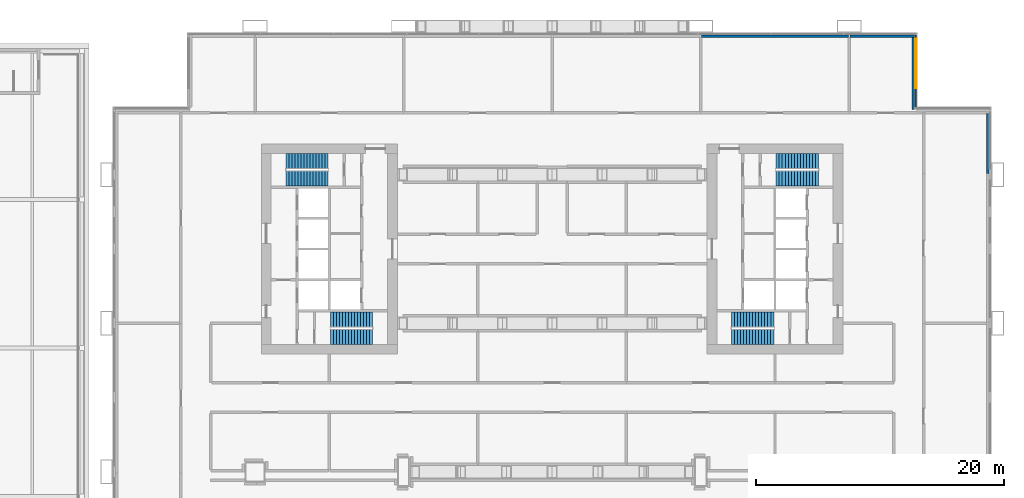
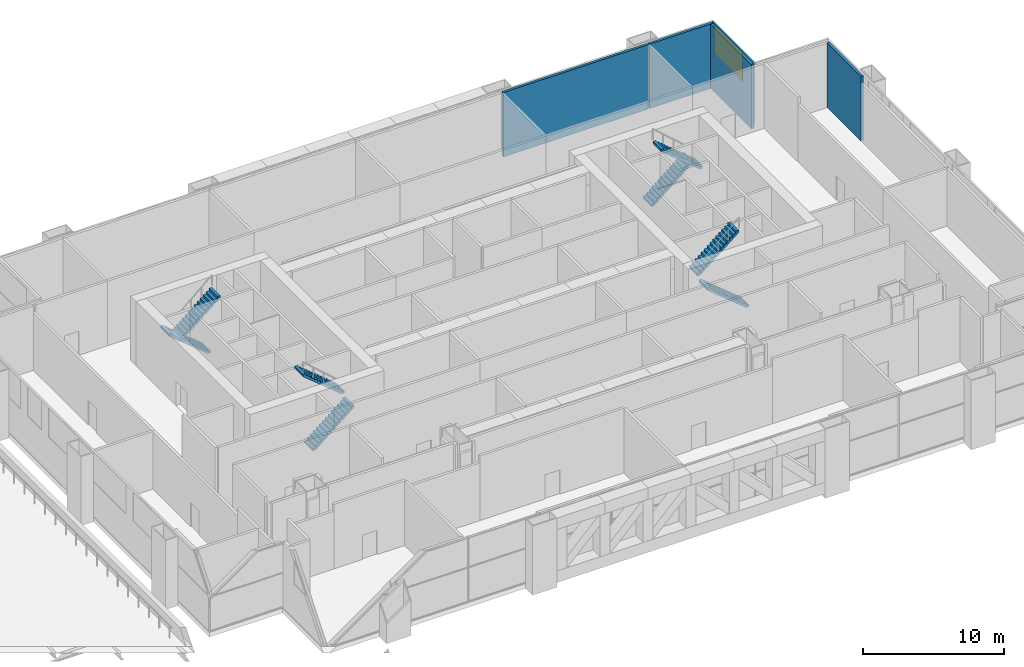
# One storey, part 26 of 27: 8 stair flights, 5 walls, 1 window, 1 opening, 4 elements without a shape of their own.
"""IFC4 building model written with IfcOpenShell, lengths in metres."""

from ifc_helpers import new_model, si_unit, direction, frame, frame_2d, origin, place, context, subcontext, project, spatial, polyline, rectangle, outline, extrude, material, layer, layer_set, type_object, element, fill, aggregate, save


model = new_model("IFC4")

# Units and contexts
model_context = context("Model", 3, precision=1e-05, world=origin(), true_north=direction((0.0, 1.0)))
body_context = subcontext(model_context, "Body", "Model", "MODEL_VIEW")
ifc_project = project(units=[si_unit("LENGTHUNIT", "METRE"), si_unit("AREAUNIT", "SQUARE_METRE"), si_unit("VOLUMEUNIT", "CUBIC_METRE"), si_unit("PLANEANGLEUNIT", "RADIAN"), si_unit("MASSUNIT", "GRAM", prefix="KILO")], contexts=[model_context])

# Site, building, storey
site_placement = place(None, origin())
site = spatial("IfcSite", under=ifc_project, at=site_placement, CompositionType="ELEMENT")
building_placement = place(site_placement, origin())
building = spatial("IfcBuilding", under=site, at=building_placement, Name="Kitamizu Gate Tower and Museum", CompositionType="ELEMENT")
storey_placement = place(building_placement, frame((0.0, 0.0, 24.0)))
storey = spatial("IfcBuildingStorey", under=building, at=storey_placement, Name="L04", CompositionType="ELEMENT", Elevation=24.0)

# Walls
ifc_material_1 = material(Name="Gypsum board on galvanised stud")
ifc_layer_1 = layer(ifc_material_1, 0.199951171875)
ifc_layer_set_1 = layer_set([ifc_layer_1], Name="Gypsum board on galvanised stud")
wall_type_1 = type_object("IfcWallType", Name="Partition 200", PredefinedType="PARTITIONING", material=ifc_layer_set_1)
wall_1_placement = place(storey_placement, frame((71.179931640625, 36.10009765625, 0.0), z_axis=(0.0, 0.0, 1.0), x_axis=(0.0, 1.0, 0.0)))
element("IfcWall", 1, at=wall_1_placement, inside=storey, type_object=wall_type_1, Name="Partition L04-078", PredefinedType="PARTITIONING", context=body_context, shape_type="SweptSolid", body=[
    extrude(rectangle(XDim=4.849853515625, YDim=0.199951171875, at=frame_2d((2.4248046875, 0.0))), origin(), (0.0, 0.0, 1.0), 5.60009765625),
])
wall_2_placement = place(storey_placement, frame((59.949951171875, 47.179931640625, 0.0), z_axis=(0.0, 0.0, 1.0), x_axis=(-1.0, 0.0, 0.0)))
element("IfcWall", 2, at=wall_2_placement, inside=storey, type_object=wall_type_1, Name="Partition L04-078", PredefinedType="PARTITIONING", context=body_context, shape_type="SweptSolid", body=[
    extrude(rectangle(XDim=11.89990234375, YDim=0.199951171875, at=frame_2d((5.949951171875, 0.0))), origin(), (0.0, 0.0, 1.0), 5.60009765625),
])
wall_3_placement = place(storey_placement, frame((65.179931640625, 41.280029296875, 0.0), z_axis=(0.0, 0.0, 1.0), x_axis=(0.0, 1.0, 0.0)))
element("IfcWall", 3, at=wall_3_placement, inside=storey, type_object=wall_type_1, Name="Partition L04-078", PredefinedType="PARTITIONING", context=body_context, shape_type="SweptSolid", body=[
    extrude(rectangle(XDim=5.800048828125, YDim=0.199951171875, at=frame_2d((2.89990234375, 0.0))), origin(), (0.0, 0.0, 1.0), 5.60009765625),
])
wall_4_placement = place(storey_placement, frame((65.280029296875, 47.179931640625, 0.0), z_axis=(0.0, 0.0, 1.0), x_axis=(-1.0, 0.0, 0.0)))
element("IfcWall", 4, at=wall_4_placement, inside=storey, type_object=wall_type_1, Name="Partition L04-078", PredefinedType="PARTITIONING", context=body_context, shape_type="SweptSolid", body=[
    extrude(rectangle(XDim=5.22998046875, YDim=0.199951171875, at=frame_2d((2.614990234375, 0.0))), origin(), (0.0, 0.0, 1.0), 5.60009765625),
])

# Wall, opening, window
ifc_material_2 = material(Name="Bronze anodised aluminium frame with insulated spandrel and tinted glass", Category="aluminium")
ifc_layer_2 = layer(ifc_material_2, 0.14990234375)
ifc_layer_set_2 = layer_set([ifc_layer_2], Name="Bronze anodised aluminium frame with insulated spandrel and tinted glass")
wall_type_2 = type_object("IfcWallType", Name="WINDOW WALL 150 BRONZE FRAME EI 60", PredefinedType="ELEMENTEDWALL", material=ifc_layer_set_2)
wall_5_placement = place(storey_placement, frame((65.364990234375, 41.43994140625, 0.0), z_axis=(0.0, 0.0, 1.0), x_axis=(0.0, 1.0, 0.0)))
wall_5 = element("IfcWall", 5, at=wall_5_placement, inside=storey, type_object=wall_type_2, Name="Window wall east L04", PredefinedType="ELEMENTEDWALL", context=body_context, shape_type="SweptSolid", body=[
    extrude(rectangle(XDim=5.85009765625, YDim=0.14990234375, at=frame_2d((2.925048828125, 0.0))), origin(), (0.0, 0.0, 1.0), 5.60009765625),
])
opening_placement = place(wall_5_placement, frame((1.56005859375, 0.0, 3.0)))
opening = element("IfcOpeningElement", 6, at=opening_placement, cuts=wall_5, Name="Opening W20", PredefinedType="OPENING", context=body_context, shape_type="SweptSolid", body=[
    extrude(rectangle(XDim=4.0, YDim=2.550048828125, at=frame_2d((2.0, 1.27490234375))), frame((0.0, 0.0849609375, 0.0), z_axis=(0.0, -1.0, 0.0), x_axis=(1.0, 0.0, 0.0)), (0.0, 0.0, 1.0), 0.169921875),
])
ifc_material_3 = material(Name="Bronze anodised aluminium frame, tinted triple glazing", Category="aluminium")
window_type = type_object("IfcWindowType", Name="WINDOW 4000 x 2550 SILL 3000", PartitioningType="SINGLE_PANEL", PredefinedType="WINDOW", material=ifc_material_3)
window_placement = place(opening_placement, origin())
window = element("IfcWindow", 7, at=window_placement, inside=storey, type_object=window_type, Name="Window W20 L04", OverallHeight=2.550048828125, OverallWidth=4.0, PartitioningType="SINGLE_PANEL", PredefinedType="WINDOW", context=body_context, shape_type="SweptSolid", body=[
    extrude(rectangle(XDim=4.0, YDim=2.550048828125, at=frame_2d((2.0, 1.27490234375))), frame((0.0, 0.030029296875, 0.0), z_axis=(0.0, -1.0, 0.0), x_axis=(1.0, 0.0, 0.0)), (0.0, 0.0, 1.0), 0.06005859375),
])
fill(opening, window)

# Stair, stair flights
ifc_material_4 = material(Name="Concrete Fc42", Category="concrete")
stair_type = type_object("IfcStairType", Name="Exit stair 1200 wide 200 rise 243 going", PredefinedType="HALF_TURN_STAIR", material=ifc_material_4)
stair_1_placement = place(storey_placement, origin())
stair_1 = element("IfcStair", 8, at=stair_1_placement, inside=storey, type_object=stair_type, Name="Exit stair ST1", PredefinedType="HALF_TURN_STAIR")
ifc_material_5 = material(Name="Concrete Fc42", Category="concrete")
stair_flight_type = type_object("IfcStairFlightType", Name="Stair flight 1200 wide 200 rise 243 going", PredefinedType="STRAIGHT", material=ifc_material_5)
stair_flight_1_placement = place(storey_placement, frame((18.10009765625, 22.89990234375, 0.0), z_axis=(0.0, 0.0, 1.0), x_axis=(1.0, 0.0, 0.0)))
stair_flight_1 = element("IfcStairFlight", 9, at=stair_flight_1_placement, type_object=stair_flight_type, Name="ST1 flight 1", NumberOfRisers=15, NumberOfTreads=14, PredefinedType="STRAIGHT", RiserHeight=0.2, TreadLength=0.242857143, context=body_context, shape_type="SweptSolid", body=[
    extrude(outline(polyline([(0.0, 0.0), (0.0, 0.199951171875), (0.242919921875, 0.199951171875), (0.242919921875, 0.39990234375), (0.485595703125, 0.39990234375), (0.485595703125, 0.60009765625), (0.728515625, 0.60009765625), (0.728515625, 0.800048828125), (0.971435546875, 0.800048828125), (0.971435546875, 1.0), (1.21435546875, 1.0), (1.21435546875, 1.199951171875), (1.45703125, 1.199951171875), (1.45703125, 1.39990234375), (1.699951171875, 1.39990234375), (1.699951171875, 1.60009765625), (1.94287109375, 1.60009765625), (1.94287109375, 1.800048828125), (2.185791015625, 1.800048828125), (2.185791015625, 2.0), (2.428466796875, 2.0), (2.428466796875, 2.199951171875), (2.67138671875, 2.199951171875), (2.67138671875, 2.39990234375), (2.914306640625, 2.39990234375), (2.914306640625, 2.60009765625), (3.1572265625, 2.60009765625), (3.1572265625, 2.800048828125), (3.39990234375, 2.800048828125), (3.39990234375, 3.0), (3.39990234375, 2.605712890625), (0.23583984375, 0.0), (0.0, 0.0)])), frame((0.0, 0.60009765625, 0.0), z_axis=(0.0, -1.0, 0.0), x_axis=(1.0, 0.0, 0.0)), (0.0, 0.0, 1.0), 1.199951171875),
])
stair_flight_2_placement = place(storey_placement, frame((21.5, 24.300048828125, 3.0), z_axis=(0.0, 0.0, 1.0), x_axis=(-1.0, 0.0, 0.0)))
stair_flight_2 = element("IfcStairFlight", 10, at=stair_flight_2_placement, type_object=stair_flight_type, Name="ST1 flight 2", NumberOfRisers=15, NumberOfTreads=14, PredefinedType="STRAIGHT", RiserHeight=0.2, TreadLength=0.242857143, context=body_context, shape_type="SweptSolid", body=[
    extrude(outline(polyline([(0.0, 0.0), (0.0, 0.199951171875), (0.242919921875, 0.199951171875), (0.242919921875, 0.39990234375), (0.485595703125, 0.39990234375), (0.485595703125, 0.60009765625), (0.728515625, 0.60009765625), (0.728515625, 0.800048828125), (0.971435546875, 0.800048828125), (0.971435546875, 1.0), (1.21435546875, 1.0), (1.21435546875, 1.199951171875), (1.45703125, 1.199951171875), (1.45703125, 1.39990234375), (1.699951171875, 1.39990234375), (1.699951171875, 1.60009765625), (1.94287109375, 1.60009765625), (1.94287109375, 1.800048828125), (2.185791015625, 1.800048828125), (2.185791015625, 2.0), (2.428466796875, 2.0), (2.428466796875, 2.199951171875), (2.67138671875, 2.199951171875), (2.67138671875, 2.39990234375), (2.914306640625, 2.39990234375), (2.914306640625, 2.60009765625), (3.1572265625, 2.60009765625), (3.1572265625, 2.800048828125), (3.39990234375, 2.800048828125), (3.39990234375, 3.0), (3.39990234375, 2.605712890625), (0.23583984375, 0.0), (0.0, 0.0)])), frame((0.0, 0.60009765625, 0.0), z_axis=(0.0, -1.0, 0.0), x_axis=(1.0, 0.0, 0.0)), (0.0, 0.0, 1.0), 1.199951171875),
])
aggregate(stair_1, [stair_flight_1, stair_flight_2])

stair_2_placement = place(storey_placement, origin())
stair_2 = element("IfcStair", 11, at=stair_2_placement, inside=storey, type_object=stair_type, Name="Exit stair ST2", PredefinedType="HALF_TURN_STAIR")
stair_flight_3_placement = place(storey_placement, frame((17.89990234375, 37.10009765625, 0.0), z_axis=(0.0, 0.0, 1.0), x_axis=(-1.0, 0.0, 0.0)))
stair_flight_3 = element("IfcStairFlight", 12, at=stair_flight_3_placement, type_object=stair_flight_type, Name="ST2 flight 1", NumberOfRisers=15, NumberOfTreads=14, PredefinedType="STRAIGHT", RiserHeight=0.2, TreadLength=0.242857143, context=body_context, shape_type="SweptSolid", body=[
    extrude(outline(polyline([(0.0, 0.0), (0.0, 0.199951171875), (0.242919921875, 0.199951171875), (0.242919921875, 0.39990234375), (0.485595703125, 0.39990234375), (0.485595703125, 0.60009765625), (0.728515625, 0.60009765625), (0.728515625, 0.800048828125), (0.971435546875, 0.800048828125), (0.971435546875, 1.0), (1.21435546875, 1.0), (1.21435546875, 1.199951171875), (1.45703125, 1.199951171875), (1.45703125, 1.39990234375), (1.699951171875, 1.39990234375), (1.699951171875, 1.60009765625), (1.94287109375, 1.60009765625), (1.94287109375, 1.800048828125), (2.185791015625, 1.800048828125), (2.185791015625, 2.0), (2.428466796875, 2.0), (2.428466796875, 2.199951171875), (2.67138671875, 2.199951171875), (2.67138671875, 2.39990234375), (2.914306640625, 2.39990234375), (2.914306640625, 2.60009765625), (3.1572265625, 2.60009765625), (3.1572265625, 2.800048828125), (3.39990234375, 2.800048828125), (3.39990234375, 3.0), (3.39990234375, 2.605712890625), (0.23583984375, 0.0), (0.0, 0.0)])), frame((0.0, 0.60009765625, 0.0), z_axis=(0.0, -1.0, 0.0), x_axis=(1.0, 0.0, 0.0)), (0.0, 0.0, 1.0), 1.199951171875),
])
stair_flight_4_placement = place(storey_placement, frame((14.5, 35.699951171875, 3.0), z_axis=(0.0, 0.0, 1.0), x_axis=(1.0, 0.0, 0.0)))
stair_flight_4 = element("IfcStairFlight", 13, at=stair_flight_4_placement, type_object=stair_flight_type, Name="ST2 flight 2", NumberOfRisers=15, NumberOfTreads=14, PredefinedType="STRAIGHT", RiserHeight=0.2, TreadLength=0.242857143, context=body_context, shape_type="SweptSolid", body=[
    extrude(outline(polyline([(0.0, 0.0), (0.0, 0.199951171875), (0.242919921875, 0.199951171875), (0.242919921875, 0.39990234375), (0.485595703125, 0.39990234375), (0.485595703125, 0.60009765625), (0.728515625, 0.60009765625), (0.728515625, 0.800048828125), (0.971435546875, 0.800048828125), (0.971435546875, 1.0), (1.21435546875, 1.0), (1.21435546875, 1.199951171875), (1.45703125, 1.199951171875), (1.45703125, 1.39990234375), (1.699951171875, 1.39990234375), (1.699951171875, 1.60009765625), (1.94287109375, 1.60009765625), (1.94287109375, 1.800048828125), (2.185791015625, 1.800048828125), (2.185791015625, 2.0), (2.428466796875, 2.0), (2.428466796875, 2.199951171875), (2.67138671875, 2.199951171875), (2.67138671875, 2.39990234375), (2.914306640625, 2.39990234375), (2.914306640625, 2.60009765625), (3.1572265625, 2.60009765625), (3.1572265625, 2.800048828125), (3.39990234375, 2.800048828125), (3.39990234375, 3.0), (3.39990234375, 2.605712890625), (0.23583984375, 0.0), (0.0, 0.0)])), frame((0.0, 0.60009765625, 0.0), z_axis=(0.0, -1.0, 0.0), x_axis=(1.0, 0.0, 0.0)), (0.0, 0.0, 1.0), 1.199951171875),
])
aggregate(stair_2, [stair_flight_3, stair_flight_4])

stair_3_placement = place(storey_placement, origin())
stair_3 = element("IfcStair", 14, at=stair_3_placement, inside=storey, type_object=stair_type, Name="Exit stair ST3", PredefinedType="HALF_TURN_STAIR")
stair_flight_5_placement = place(storey_placement, frame((53.89990234375, 22.89990234375, 0.0), z_axis=(0.0, 0.0, 1.0), x_axis=(-1.0, 0.0, 0.0)))
stair_flight_5 = element("IfcStairFlight", 15, at=stair_flight_5_placement, type_object=stair_flight_type, Name="ST3 flight 1", NumberOfRisers=15, NumberOfTreads=14, PredefinedType="STRAIGHT", RiserHeight=0.2, TreadLength=0.242857143, context=body_context, shape_type="SweptSolid", body=[
    extrude(outline(polyline([(0.0, 0.0), (0.0, 0.199951171875), (0.242919921875, 0.199951171875), (0.242919921875, 0.39990234375), (0.485595703125, 0.39990234375), (0.485595703125, 0.60009765625), (0.728515625, 0.60009765625), (0.728515625, 0.800048828125), (0.971435546875, 0.800048828125), (0.971435546875, 1.0), (1.21435546875, 1.0), (1.21435546875, 1.199951171875), (1.45703125, 1.199951171875), (1.45703125, 1.39990234375), (1.699951171875, 1.39990234375), (1.699951171875, 1.60009765625), (1.94287109375, 1.60009765625), (1.94287109375, 1.800048828125), (2.185791015625, 1.800048828125), (2.185791015625, 2.0), (2.428466796875, 2.0), (2.428466796875, 2.199951171875), (2.67138671875, 2.199951171875), (2.67138671875, 2.39990234375), (2.914306640625, 2.39990234375), (2.914306640625, 2.60009765625), (3.1572265625, 2.60009765625), (3.1572265625, 2.800048828125), (3.39990234375, 2.800048828125), (3.39990234375, 3.0), (3.39990234375, 2.605712890625), (0.23583984375, 0.0), (0.0, 0.0)])), frame((0.0, 0.60009765625, 0.0), z_axis=(0.0, -1.0, 0.0), x_axis=(1.0, 0.0, 0.0)), (0.0, 0.0, 1.0), 1.199951171875),
])
stair_flight_6_placement = place(storey_placement, frame((50.5, 24.300048828125, 3.0), z_axis=(0.0, 0.0, 1.0), x_axis=(1.0, 0.0, 0.0)))
stair_flight_6 = element("IfcStairFlight", 16, at=stair_flight_6_placement, type_object=stair_flight_type, Name="ST3 flight 2", NumberOfRisers=15, NumberOfTreads=14, PredefinedType="STRAIGHT", RiserHeight=0.2, TreadLength=0.242857143, context=body_context, shape_type="SweptSolid", body=[
    extrude(outline(polyline([(0.0, 0.0), (0.0, 0.199951171875), (0.242919921875, 0.199951171875), (0.242919921875, 0.39990234375), (0.485595703125, 0.39990234375), (0.485595703125, 0.60009765625), (0.728515625, 0.60009765625), (0.728515625, 0.800048828125), (0.971435546875, 0.800048828125), (0.971435546875, 1.0), (1.21435546875, 1.0), (1.21435546875, 1.199951171875), (1.45703125, 1.199951171875), (1.45703125, 1.39990234375), (1.699951171875, 1.39990234375), (1.699951171875, 1.60009765625), (1.94287109375, 1.60009765625), (1.94287109375, 1.800048828125), (2.185791015625, 1.800048828125), (2.185791015625, 2.0), (2.428466796875, 2.0), (2.428466796875, 2.199951171875), (2.67138671875, 2.199951171875), (2.67138671875, 2.39990234375), (2.914306640625, 2.39990234375), (2.914306640625, 2.60009765625), (3.1572265625, 2.60009765625), (3.1572265625, 2.800048828125), (3.39990234375, 2.800048828125), (3.39990234375, 3.0), (3.39990234375, 2.605712890625), (0.23583984375, 0.0), (0.0, 0.0)])), frame((0.0, 0.60009765625, 0.0), z_axis=(0.0, -1.0, 0.0), x_axis=(1.0, 0.0, 0.0)), (0.0, 0.0, 1.0), 1.199951171875),
])
aggregate(stair_3, [stair_flight_5, stair_flight_6])

stair_4_placement = place(storey_placement, origin())
stair_4 = element("IfcStair", 17, at=stair_4_placement, inside=storey, type_object=stair_type, Name="Exit stair ST4", PredefinedType="HALF_TURN_STAIR")
stair_flight_7_placement = place(storey_placement, frame((54.10009765625, 37.10009765625, 0.0), z_axis=(0.0, 0.0, 1.0), x_axis=(1.0, 0.0, 0.0)))
stair_flight_7 = element("IfcStairFlight", 18, at=stair_flight_7_placement, type_object=stair_flight_type, Name="ST4 flight 1", NumberOfRisers=15, NumberOfTreads=14, PredefinedType="STRAIGHT", RiserHeight=0.2, TreadLength=0.242857143, context=body_context, shape_type="SweptSolid", body=[
    extrude(outline(polyline([(0.0, 0.0), (0.0, 0.199951171875), (0.242919921875, 0.199951171875), (0.242919921875, 0.39990234375), (0.485595703125, 0.39990234375), (0.485595703125, 0.60009765625), (0.728515625, 0.60009765625), (0.728515625, 0.800048828125), (0.971435546875, 0.800048828125), (0.971435546875, 1.0), (1.21435546875, 1.0), (1.21435546875, 1.199951171875), (1.45703125, 1.199951171875), (1.45703125, 1.39990234375), (1.699951171875, 1.39990234375), (1.699951171875, 1.60009765625), (1.94287109375, 1.60009765625), (1.94287109375, 1.800048828125), (2.185791015625, 1.800048828125), (2.185791015625, 2.0), (2.428466796875, 2.0), (2.428466796875, 2.199951171875), (2.67138671875, 2.199951171875), (2.67138671875, 2.39990234375), (2.914306640625, 2.39990234375), (2.914306640625, 2.60009765625), (3.1572265625, 2.60009765625), (3.1572265625, 2.800048828125), (3.39990234375, 2.800048828125), (3.39990234375, 3.0), (3.39990234375, 2.605712890625), (0.23583984375, 0.0), (0.0, 0.0)])), frame((0.0, 0.60009765625, 0.0), z_axis=(0.0, -1.0, 0.0), x_axis=(1.0, 0.0, 0.0)), (0.0, 0.0, 1.0), 1.199951171875),
])
stair_flight_8_placement = place(storey_placement, frame((57.5, 35.699951171875, 3.0), z_axis=(0.0, 0.0, 1.0), x_axis=(-1.0, 0.0, 0.0)))
stair_flight_8 = element("IfcStairFlight", 19, at=stair_flight_8_placement, type_object=stair_flight_type, Name="ST4 flight 2", NumberOfRisers=15, NumberOfTreads=14, PredefinedType="STRAIGHT", RiserHeight=0.2, TreadLength=0.242857143, context=body_context, shape_type="SweptSolid", body=[
    extrude(outline(polyline([(0.0, 0.0), (0.0, 0.199951171875), (0.242919921875, 0.199951171875), (0.242919921875, 0.39990234375), (0.485595703125, 0.39990234375), (0.485595703125, 0.60009765625), (0.728515625, 0.60009765625), (0.728515625, 0.800048828125), (0.971435546875, 0.800048828125), (0.971435546875, 1.0), (1.21435546875, 1.0), (1.21435546875, 1.199951171875), (1.45703125, 1.199951171875), (1.45703125, 1.39990234375), (1.699951171875, 1.39990234375), (1.699951171875, 1.60009765625), (1.94287109375, 1.60009765625), (1.94287109375, 1.800048828125), (2.185791015625, 1.800048828125), (2.185791015625, 2.0), (2.428466796875, 2.0), (2.428466796875, 2.199951171875), (2.67138671875, 2.199951171875), (2.67138671875, 2.39990234375), (2.914306640625, 2.39990234375), (2.914306640625, 2.60009765625), (3.1572265625, 2.60009765625), (3.1572265625, 2.800048828125), (3.39990234375, 2.800048828125), (3.39990234375, 3.0), (3.39990234375, 2.605712890625), (0.23583984375, 0.0), (0.0, 0.0)])), frame((0.0, 0.60009765625, 0.0), z_axis=(0.0, -1.0, 0.0), x_axis=(1.0, 0.0, 0.0)), (0.0, 0.0, 1.0), 1.199951171875),
])
aggregate(stair_4, [stair_flight_7, stair_flight_8])

save(model, "model.ifc")
